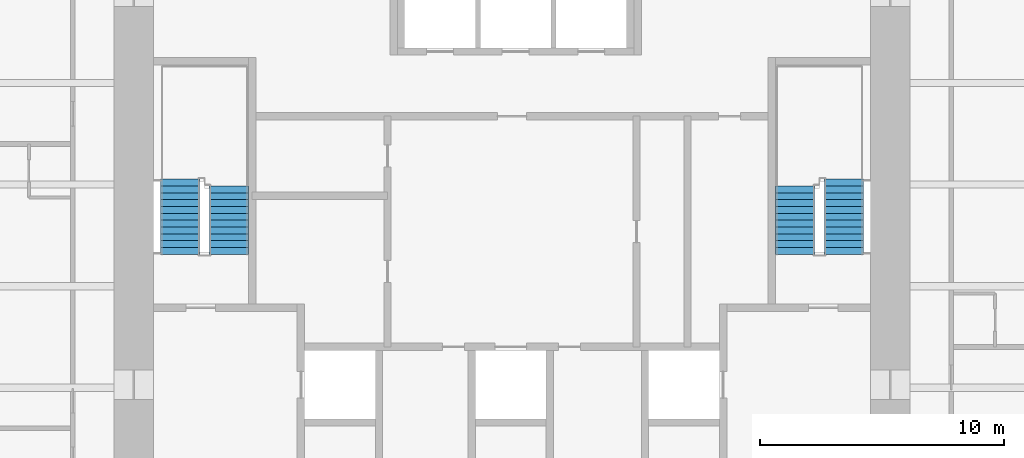
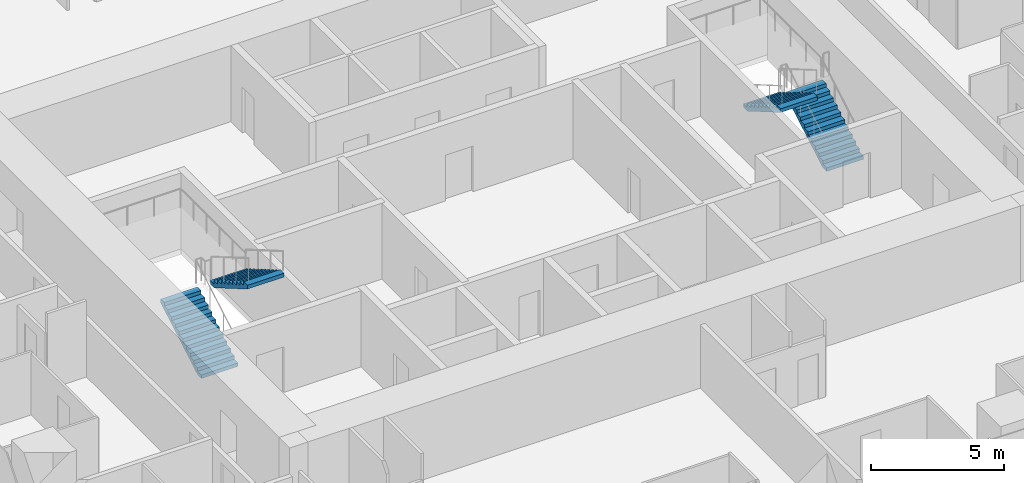
# One storey, part 12 of 13: 4 stair flights, 2 elements without a shape of their own.
"""IFC4 building model written with IfcOpenShell, lengths in metres."""

from ifc_helpers import new_model, si_unit, direction, frame, origin, place, context, subcontext, project, spatial, polyline, outline, extrude, material, type_object, element, aggregate, save


model = new_model("IFC4")

# Units and contexts
model_context = context("Model", 3, precision=1e-05, world=origin(), true_north=direction((0.0, 1.0)))
body_context = subcontext(model_context, "Body", "Model", "MODEL_VIEW")
ifc_project = project(units=[si_unit("LENGTHUNIT", "METRE"), si_unit("AREAUNIT", "SQUARE_METRE"), si_unit("VOLUMEUNIT", "CUBIC_METRE"), si_unit("PLANEANGLEUNIT", "RADIAN"), si_unit("MASSUNIT", "GRAM", prefix="KILO")], contexts=[model_context])

# Site, building, storey
site_placement = place(None, origin())
site = spatial("IfcSite", under=ifc_project, at=site_placement, CompositionType="ELEMENT")
building_placement = place(site_placement, origin())
building = spatial("IfcBuilding", under=site, at=building_placement, Name="Khuree Lantern Residences", CompositionType="ELEMENT")
storey_placement = place(building_placement, frame((0.0, 0.0, 248.25)))
storey = spatial("IfcBuildingStorey", under=building, at=storey_placement, Name="L62", CompositionType="ELEMENT", Elevation=248.25)

# Stair, stair flights
ifc_material = material(Name="Concrete C40/50", Category="concrete")
stair_type = type_object("IfcStairType", Name="STAIR ST1 HALF TURN 3600", PredefinedType="HALF_TURN_STAIR", material=ifc_material)
stair_1_placement = place(storey_placement, origin())
stair_1 = element("IfcStair", 1, at=stair_1_placement, inside=storey, type_object=stair_type, Name="Stair ST1", PredefinedType="HALF_TURN_STAIR")
stair_flight_type = type_object("IfcStairFlightType", Name="STAIR FLIGHT SF1 1600", PredefinedType="STRAIGHT", material=ifc_material)
stair_flight_1_placement = place(storey_placement, frame((-13.60009765625, -2.860107421875, 0.0), z_axis=(0.0, 0.0, 1.0), x_axis=(0.0, 1.0, 0.0)))
stair_flight_1 = element("IfcStairFlight", 2, at=stair_flight_1_placement, type_object=stair_flight_type, Name="ST1 flight 1", NumberOfRisers=12, NumberOfTreads=11, PredefinedType="STRAIGHT", RiserHeight=0.163043478, TreadLength=0.28, context=body_context, shape_type="SweptSolid", body=[
    extrude(outline(polyline([(0.0, 0.0), (0.0, 0.1630859375), (0.280029296875, 0.1630859375), (0.280029296875, 0.326171875), (0.56005859375, 0.326171875), (0.56005859375, 0.489013671875), (0.840087890625, 0.489013671875), (0.840087890625, 0.652099609375), (1.1201171875, 0.652099609375), (1.1201171875, 0.815185546875), (1.39990234375, 0.815185546875), (1.39990234375, 0.978271484375), (1.679931640625, 0.978271484375), (1.679931640625, 1.141357421875), (1.9599609375, 1.141357421875), (1.9599609375, 1.304443359375), (2.239990234375, 1.304443359375), (2.239990234375, 1.46728515625), (2.52001953125, 1.46728515625), (2.52001953125, 1.63037109375), (2.800048828125, 1.63037109375), (2.800048828125, 1.79345703125), (3.080078125, 1.79345703125), (3.080078125, 1.95654296875), (3.080078125, 1.6201171875), (0.2978515625, 0.0), (0.0, 0.0)])), frame((0.0, 0.800048828125, 0.0), z_axis=(0.0, -1.0, 0.0), x_axis=(1.0, 0.0, 0.0)), (0.0, 0.0, 1.0), 1.60009765625),
])
stair_flight_2_placement = place(storey_placement, frame((-11.60009765625, -0.06005859375, 1.95654296875), z_axis=(0.0, 0.0, 1.0), x_axis=(0.0, -1.0, 0.0)))
stair_flight_2 = element("IfcStairFlight", 3, at=stair_flight_2_placement, type_object=stair_flight_type, Name="ST1 flight 2", NumberOfRisers=11, NumberOfTreads=10, PredefinedType="STRAIGHT", RiserHeight=0.163043478, TreadLength=0.28, context=body_context, shape_type="SweptSolid", body=[
    extrude(outline(polyline([(0.0, 0.0), (0.0, 0.1630859375), (0.280029296875, 0.1630859375), (0.280029296875, 0.326171875), (0.56005859375, 0.326171875), (0.56005859375, 0.489013671875), (0.840087890625, 0.489013671875), (0.840087890625, 0.652099609375), (1.1201171875, 0.652099609375), (1.1201171875, 0.815185546875), (1.39990234375, 0.815185546875), (1.39990234375, 0.978271484375), (1.679931640625, 0.978271484375), (1.679931640625, 1.141357421875), (1.9599609375, 1.141357421875), (1.9599609375, 1.304443359375), (2.239990234375, 1.304443359375), (2.239990234375, 1.46728515625), (2.52001953125, 1.46728515625), (2.52001953125, 1.63037109375), (2.800048828125, 1.63037109375), (2.800048828125, 1.79345703125), (2.800048828125, 1.45703125), (0.2978515625, 0.0), (0.0, 0.0)])), frame((0.0, 0.800048828125, 0.0), z_axis=(0.0, -1.0, 0.0), x_axis=(1.0, 0.0, 0.0)), (0.0, 0.0, 1.0), 1.60009765625),
])
aggregate(stair_1, [stair_flight_1, stair_flight_2])

stair_2_placement = place(storey_placement, origin())
stair_2 = element("IfcStair", 4, at=stair_2_placement, inside=storey, type_object=stair_type, Name="Stair ST2", PredefinedType="HALF_TURN_STAIR")
stair_flight_3_placement = place(storey_placement, frame((13.60009765625, -2.860107421875, 0.0), z_axis=(0.0, 0.0, 1.0), x_axis=(0.0, 1.0, 0.0)))
stair_flight_3 = element("IfcStairFlight", 5, at=stair_flight_3_placement, type_object=stair_flight_type, Name="ST2 flight 1", NumberOfRisers=12, NumberOfTreads=11, PredefinedType="STRAIGHT", RiserHeight=0.163043478, TreadLength=0.28, context=body_context, shape_type="SweptSolid", body=[
    extrude(outline(polyline([(0.0, 0.0), (0.0, 0.1630859375), (0.280029296875, 0.1630859375), (0.280029296875, 0.326171875), (0.56005859375, 0.326171875), (0.56005859375, 0.489013671875), (0.840087890625, 0.489013671875), (0.840087890625, 0.652099609375), (1.1201171875, 0.652099609375), (1.1201171875, 0.815185546875), (1.39990234375, 0.815185546875), (1.39990234375, 0.978271484375), (1.679931640625, 0.978271484375), (1.679931640625, 1.141357421875), (1.9599609375, 1.141357421875), (1.9599609375, 1.304443359375), (2.239990234375, 1.304443359375), (2.239990234375, 1.46728515625), (2.52001953125, 1.46728515625), (2.52001953125, 1.63037109375), (2.800048828125, 1.63037109375), (2.800048828125, 1.79345703125), (3.080078125, 1.79345703125), (3.080078125, 1.95654296875), (3.080078125, 1.6201171875), (0.2978515625, 0.0), (0.0, 0.0)])), frame((0.0, 0.800048828125, 0.0), z_axis=(0.0, -1.0, 0.0), x_axis=(1.0, 0.0, 0.0)), (0.0, 0.0, 1.0), 1.60009765625),
])
stair_flight_4_placement = place(storey_placement, frame((11.60009765625, -0.06005859375, 1.95654296875), z_axis=(0.0, 0.0, 1.0), x_axis=(0.0, -1.0, 0.0)))
stair_flight_4 = element("IfcStairFlight", 6, at=stair_flight_4_placement, type_object=stair_flight_type, Name="ST2 flight 2", NumberOfRisers=11, NumberOfTreads=10, PredefinedType="STRAIGHT", RiserHeight=0.163043478, TreadLength=0.28, context=body_context, shape_type="SweptSolid", body=[
    extrude(outline(polyline([(0.0, 0.0), (0.0, 0.1630859375), (0.280029296875, 0.1630859375), (0.280029296875, 0.326171875), (0.56005859375, 0.326171875), (0.56005859375, 0.489013671875), (0.840087890625, 0.489013671875), (0.840087890625, 0.652099609375), (1.1201171875, 0.652099609375), (1.1201171875, 0.815185546875), (1.39990234375, 0.815185546875), (1.39990234375, 0.978271484375), (1.679931640625, 0.978271484375), (1.679931640625, 1.141357421875), (1.9599609375, 1.141357421875), (1.9599609375, 1.304443359375), (2.239990234375, 1.304443359375), (2.239990234375, 1.46728515625), (2.52001953125, 1.46728515625), (2.52001953125, 1.63037109375), (2.800048828125, 1.63037109375), (2.800048828125, 1.79345703125), (2.800048828125, 1.45703125), (0.2978515625, 0.0), (0.0, 0.0)])), frame((0.0, 0.800048828125, 0.0), z_axis=(0.0, -1.0, 0.0), x_axis=(1.0, 0.0, 0.0)), (0.0, 0.0, 1.0), 1.60009765625),
])
aggregate(stair_2, [stair_flight_3, stair_flight_4])

save(model, "model.ifc")
